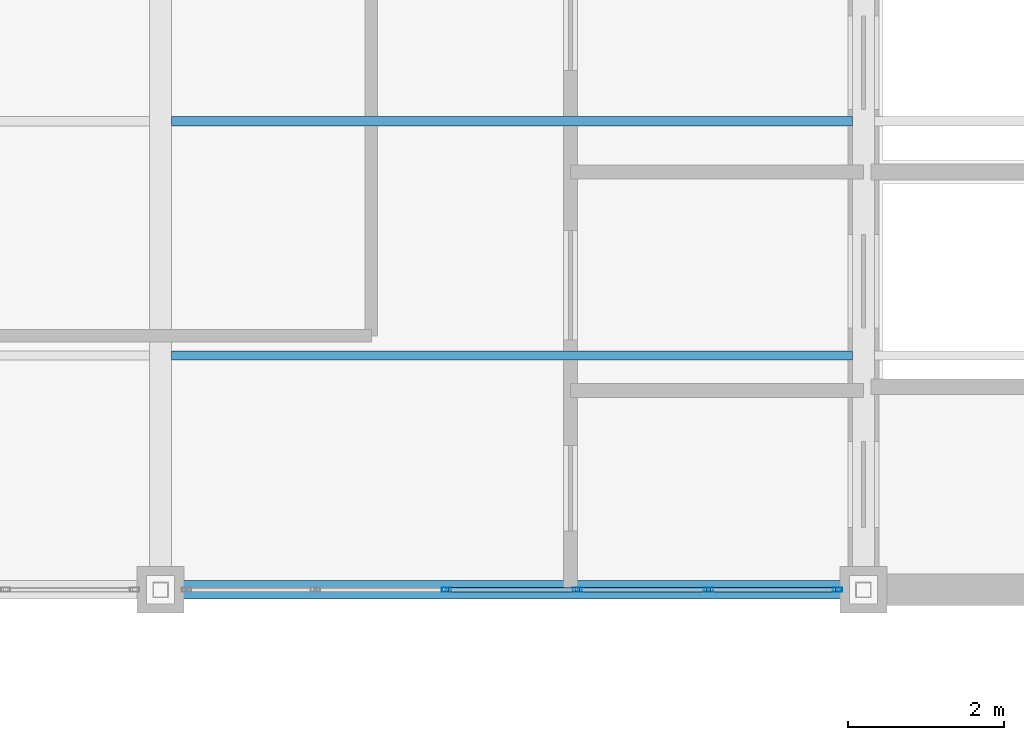
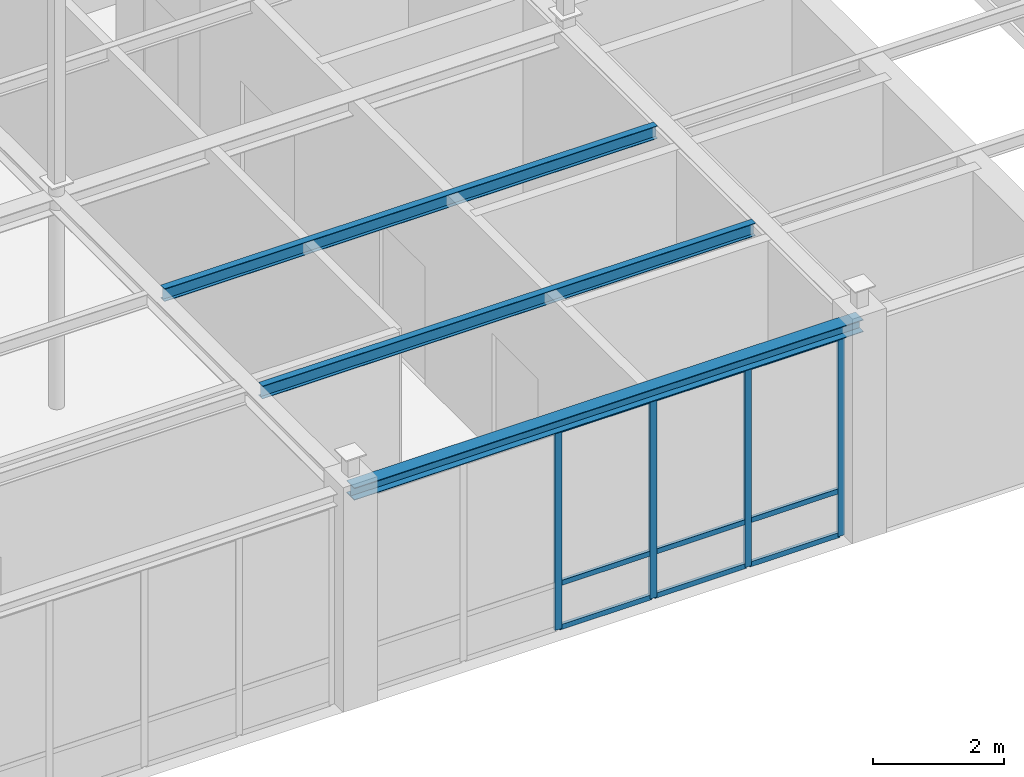
# One storey, part 62 of 97: 13 members, 3 beams, 1 element without a shape of its own.
"""IFC4 building model written with IfcOpenShell, lengths in metres."""

from ifc_helpers import new_model, si_unit, direction, frame, origin, origin_2d, place, context, subcontext, project, spatial, hollow_rectangle, i_section, extrude, material, material_profile, profile_set, type_object, element, aggregate, save


model = new_model("IFC4")

# Units and contexts
model_context = context("Model", 3, precision=1e-05, world=origin(), true_north=direction((0.0, 1.0)))
body_context = subcontext(model_context, "Body", "Model", "MODEL_VIEW")
ifc_project = project(units=[si_unit("LENGTHUNIT", "METRE"), si_unit("AREAUNIT", "SQUARE_METRE"), si_unit("VOLUMEUNIT", "CUBIC_METRE"), si_unit("PLANEANGLEUNIT", "RADIAN"), si_unit("MASSUNIT", "GRAM", prefix="KILO")], contexts=[model_context])

# Site, building, storey
site_placement = place(None, origin())
site = spatial("IfcSite", under=ifc_project, at=site_placement, CompositionType="ELEMENT")
building_placement = place(site_placement, origin())
building = spatial("IfcBuilding", under=site, at=building_placement, Name="Lykobir Media Centre", CompositionType="ELEMENT")
storey_placement = place(building_placement, frame((0.0, 0.0, 23.39990234375)))
storey = spatial("IfcBuildingStorey", under=building, at=storey_placement, Name="L05", CompositionType="ELEMENT", Elevation=23.39990234375)

# Curtain wall, members
ifc_material_1 = material(Name="Anodized Aluminium AW-6060", Category="aluminium")
curtain_wall_type = type_object("IfcCurtainWallType", Name="CW-COURT-B", PredefinedType="NOTDEFINED", material=ifc_material_1)
curtain_wall_placement = place(storey_placement, origin())
curtain_wall = element("IfcCurtainWall", 1, at=curtain_wall_placement, inside=storey, type_object=curtain_wall_type, Name="Curtain wall CW2-L05-0205", PredefinedType="NOTDEFINED")
ifc_material_profile_1 = material_profile(ifc_material_1, hollow_rectangle(XDim=0.054931640625, YDim=0.1201171875, WallThickness=0.003173828125, at=origin_2d()), Name="ALU MULLION 55x120")
ifc_profile_set_1 = profile_set([ifc_material_profile_1], Name="Anodized Aluminium AW-6060")
member_type_1 = type_object("IfcMemberType", Name="CWM-120", PredefinedType="MULLION", material=ifc_profile_set_1)
member_1_placement = place(storey_placement, frame((125.66748046875, 72.0, 0.0), z_axis=(0.0, 0.0, 1.0), x_axis=(0.0, -1.0, 0.0)))
member_1 = element("IfcMember", 2, at=member_1_placement, type_object=member_type_1, Name="CW2-L05-0205 mullion 1", PredefinedType="MULLION", context=body_context, shape_type="SweptSolid", body=[
    extrude(hollow_rectangle(XDim=0.054931640625, YDim=0.1201171875, WallThickness=0.003173828125, at=origin_2d()), origin(), (0.0, 0.0, 1.0), 3.735107421875),
])
member_2_placement = place(storey_placement, frame((124.01708984375, 72.0, 0.0), z_axis=(0.0, 0.0, 1.0), x_axis=(0.0, -1.0, 0.0)))
member_2 = element("IfcMember", 3, at=member_2_placement, type_object=member_type_1, Name="CW2-L05-0205 mullion 2", PredefinedType="MULLION", context=body_context, shape_type="SweptSolid", body=[
    extrude(hollow_rectangle(XDim=0.054931640625, YDim=0.1201171875, WallThickness=0.003173828125, at=origin_2d()), origin(), (0.0, 0.0, 1.0), 3.735107421875),
])
member_3_placement = place(storey_placement, frame((122.339111328125, 72.0, 0.0), z_axis=(0.0, 0.0, 1.0), x_axis=(0.0, -1.0, 0.0)))
member_3 = element("IfcMember", 4, at=member_3_placement, type_object=member_type_1, Name="CW2-L05-0205 mullion 3", PredefinedType="MULLION", context=body_context, shape_type="SweptSolid", body=[
    extrude(hollow_rectangle(XDim=0.054931640625, YDim=0.1201171875, WallThickness=0.003173828125, at=origin_2d()), origin(), (0.0, 0.0, 1.0), 3.735107421875),
])
member_4_placement = place(storey_placement, frame((120.660888671875, 72.0, 0.0), z_axis=(0.0, 0.0, 1.0), x_axis=(0.0, -1.0, 0.0)))
member_4 = element("IfcMember", 5, at=member_4_placement, type_object=member_type_1, Name="CW2-L05-0205 mullion 4", PredefinedType="MULLION", context=body_context, shape_type="SweptSolid", body=[
    extrude(hollow_rectangle(XDim=0.054931640625, YDim=0.1201171875, WallThickness=0.003173828125, at=origin_2d()), origin(), (0.0, 0.0, 1.0), 3.735107421875),
])
ifc_material_profile_2 = material_profile(ifc_material_1, hollow_rectangle(XDim=0.054931640625, YDim=0.094970703125, WallThickness=0.0029296875, at=origin_2d()), Name="ALU TRANSOM 55x95")
ifc_profile_set_2 = profile_set([ifc_material_profile_2], Name="Anodized Aluminium AW-6060")
member_type_2 = type_object("IfcMemberType", Name="CWT-095", PredefinedType="USERDEFINED", material=ifc_profile_set_2)
member_5_placement = place(storey_placement, frame((125.639892578125, 72.0, 0.027587890625), z_axis=(-1.0, 0.0, 0.0), x_axis=(0.0, -1.0, 0.0)))
member_5 = element("IfcMember", 6, at=member_5_placement, type_object=member_type_2, Name="CW2-L05-0205 transom 1.1", ObjectType="TRANSOM", PredefinedType="USERDEFINED", context=body_context, shape_type="SweptSolid", body=[
    extrude(hollow_rectangle(XDim=0.054931640625, YDim=0.094970703125, WallThickness=0.0029296875, at=origin_2d()), origin(), (0.0, 0.0, 1.0), 1.595458984375),
])
member_6_placement = place(storey_placement, frame((125.639892578125, 72.0, 0.85009765625), z_axis=(-1.0, 0.0, 0.0), x_axis=(0.0, -1.0, 0.0)))
member_6 = element("IfcMember", 7, at=member_6_placement, type_object=member_type_2, Name="CW2-L05-0205 transom 1.2", ObjectType="TRANSOM", PredefinedType="USERDEFINED", context=body_context, shape_type="SweptSolid", body=[
    extrude(hollow_rectangle(XDim=0.054931640625, YDim=0.094970703125, WallThickness=0.0029296875, at=origin_2d()), origin(), (0.0, 0.0, 1.0), 1.595458984375),
])
member_7_placement = place(storey_placement, frame((125.639892578125, 72.0, 3.70751953125), z_axis=(-1.0, 0.0, 0.0), x_axis=(0.0, -1.0, 0.0)))
member_7 = element("IfcMember", 8, at=member_7_placement, type_object=member_type_2, Name="CW2-L05-0205 transom 1.3", ObjectType="TRANSOM", PredefinedType="USERDEFINED", context=body_context, shape_type="SweptSolid", body=[
    extrude(hollow_rectangle(XDim=0.054931640625, YDim=0.094970703125, WallThickness=0.0029296875, at=origin_2d()), origin(), (0.0, 0.0, 1.0), 1.595458984375),
])
member_8_placement = place(storey_placement, frame((123.989501953125, 72.0, 0.027587890625), z_axis=(-1.0, 0.0, 0.0), x_axis=(0.0, -1.0, 0.0)))
member_8 = element("IfcMember", 9, at=member_8_placement, type_object=member_type_2, Name="CW2-L05-0205 transom 2.1", ObjectType="TRANSOM", PredefinedType="USERDEFINED", context=body_context, shape_type="SweptSolid", body=[
    extrude(hollow_rectangle(XDim=0.054931640625, YDim=0.094970703125, WallThickness=0.0029296875, at=origin_2d()), origin(), (0.0, 0.0, 1.0), 1.623046875),
])
member_9_placement = place(storey_placement, frame((123.989501953125, 72.0, 0.85009765625), z_axis=(-1.0, 0.0, 0.0), x_axis=(0.0, -1.0, 0.0)))
member_9 = element("IfcMember", 10, at=member_9_placement, type_object=member_type_2, Name="CW2-L05-0205 transom 2.2", ObjectType="TRANSOM", PredefinedType="USERDEFINED", context=body_context, shape_type="SweptSolid", body=[
    extrude(hollow_rectangle(XDim=0.054931640625, YDim=0.094970703125, WallThickness=0.0029296875, at=origin_2d()), origin(), (0.0, 0.0, 1.0), 1.623046875),
])
member_10_placement = place(storey_placement, frame((123.989501953125, 72.0, 3.70751953125), z_axis=(-1.0, 0.0, 0.0), x_axis=(0.0, -1.0, 0.0)))
member_10 = element("IfcMember", 11, at=member_10_placement, type_object=member_type_2, Name="CW2-L05-0205 transom 2.3", ObjectType="TRANSOM", PredefinedType="USERDEFINED", context=body_context, shape_type="SweptSolid", body=[
    extrude(hollow_rectangle(XDim=0.054931640625, YDim=0.094970703125, WallThickness=0.0029296875, at=origin_2d()), origin(), (0.0, 0.0, 1.0), 1.623046875),
])
member_11_placement = place(storey_placement, frame((122.3115234375, 72.0, 0.027587890625), z_axis=(-1.0, 0.0, 0.0), x_axis=(0.0, -1.0, 0.0)))
member_11 = element("IfcMember", 12, at=member_11_placement, type_object=member_type_2, Name="CW2-L05-0205 transom 3.1", ObjectType="TRANSOM", PredefinedType="USERDEFINED", context=body_context, shape_type="SweptSolid", body=[
    extrude(hollow_rectangle(XDim=0.054931640625, YDim=0.094970703125, WallThickness=0.0029296875, at=origin_2d()), origin(), (0.0, 0.0, 1.0), 1.623046875),
])
member_12_placement = place(storey_placement, frame((122.3115234375, 72.0, 0.85009765625), z_axis=(-1.0, 0.0, 0.0), x_axis=(0.0, -1.0, 0.0)))
member_12 = element("IfcMember", 13, at=member_12_placement, type_object=member_type_2, Name="CW2-L05-0205 transom 3.2", ObjectType="TRANSOM", PredefinedType="USERDEFINED", context=body_context, shape_type="SweptSolid", body=[
    extrude(hollow_rectangle(XDim=0.054931640625, YDim=0.094970703125, WallThickness=0.0029296875, at=origin_2d()), origin(), (0.0, 0.0, 1.0), 1.623046875),
])
member_13_placement = place(storey_placement, frame((122.3115234375, 72.0, 3.70751953125), z_axis=(-1.0, 0.0, 0.0), x_axis=(0.0, -1.0, 0.0)))
member_13 = element("IfcMember", 14, at=member_13_placement, type_object=member_type_2, Name="CW2-L05-0205 transom 3.3", ObjectType="TRANSOM", PredefinedType="USERDEFINED", context=body_context, shape_type="SweptSolid", body=[
    extrude(hollow_rectangle(XDim=0.054931640625, YDim=0.094970703125, WallThickness=0.0029296875, at=origin_2d()), origin(), (0.0, 0.0, 1.0), 1.623046875),
])
aggregate(curtain_wall, [member_1, member_2, member_3, member_4, member_5, member_6, member_7, member_8, member_9, member_10, member_11, member_12, member_13])

# Beams
ifc_material_2 = material(Name="Steel S355", Category="steel")
ifc_material_profile_3 = material_profile(ifc_material_2, i_section(OverallWidth=0.1201171875, OverallDepth=0.239990234375, WebThickness=0.006103515625, FlangeThickness=0.009765625, at=origin_2d()), Name="IPE 240")
ifc_profile_set_3 = profile_set([ifc_material_profile_3], Name="Steel S355")
beam_type_1 = type_object("IfcBeamType", Name="JS-IPE240", PredefinedType="JOIST", material=ifc_profile_set_3)
for number, where, z_axis, x_axis, name in (
    (15, (117.139892578125, 75.0, 3.860107421875), (1.0, 0.0, 0.0), (0.0, 1.0, 0.0), "Beam BM-L05-1171-0750-1259-0750-2726"),
    (16, (117.139892578125, 78.0, 3.860107421875), (1.0, 0.0, 0.0), (0.0, 1.0, 0.0), "Beam BM-L05-1171-0780-1259-0780-2726"),
):
    element("IfcBeam", number, at=place(storey_placement, frame(where, z_axis=z_axis, x_axis=x_axis)), inside=storey, type_object=beam_type_1, Name=name, PredefinedType="JOIST", context=body_context, shape_type="SweptSolid", body=[
        extrude(i_section(OverallWidth=0.1201171875, OverallDepth=0.239990234375, WebThickness=0.006103515625, FlangeThickness=0.009765625, at=origin_2d()), origin(), (0.0, 0.0, 1.0), 8.72021484375),
    ])
ifc_material_profile_4 = material_profile(ifc_material_2, i_section(OverallWidth=0.239990234375, OverallDepth=0.22998046875, WebThickness=0.007568359375, FlangeThickness=0.011962890625, at=origin_2d()), Name="HEA 240")
ifc_profile_set_4 = profile_set([ifc_material_profile_4], Name="Steel S355")
beam_type_2 = type_object("IfcBeamType", Name="SP-HEA240", PredefinedType="SPANDREL", material=ifc_profile_set_4)
beam_placement = place(storey_placement, frame((117.0, 72.0, 3.864990234375), z_axis=(1.0, 0.0, 0.0), x_axis=(0.0, 1.0, 0.0)))
element("IfcBeam", 17, at=beam_placement, inside=storey, type_object=beam_type_2, Name="Beam BM-L05-1170-0720-1260-0720-2726", PredefinedType="SPANDREL", context=body_context, shape_type="SweptSolid", body=[
    extrude(i_section(OverallWidth=0.239990234375, OverallDepth=0.22998046875, WebThickness=0.007568359375, FlangeThickness=0.011962890625, at=origin_2d()), origin(), (0.0, 0.0, 1.0), 9.0),
])

save(model, "model.ifc")
